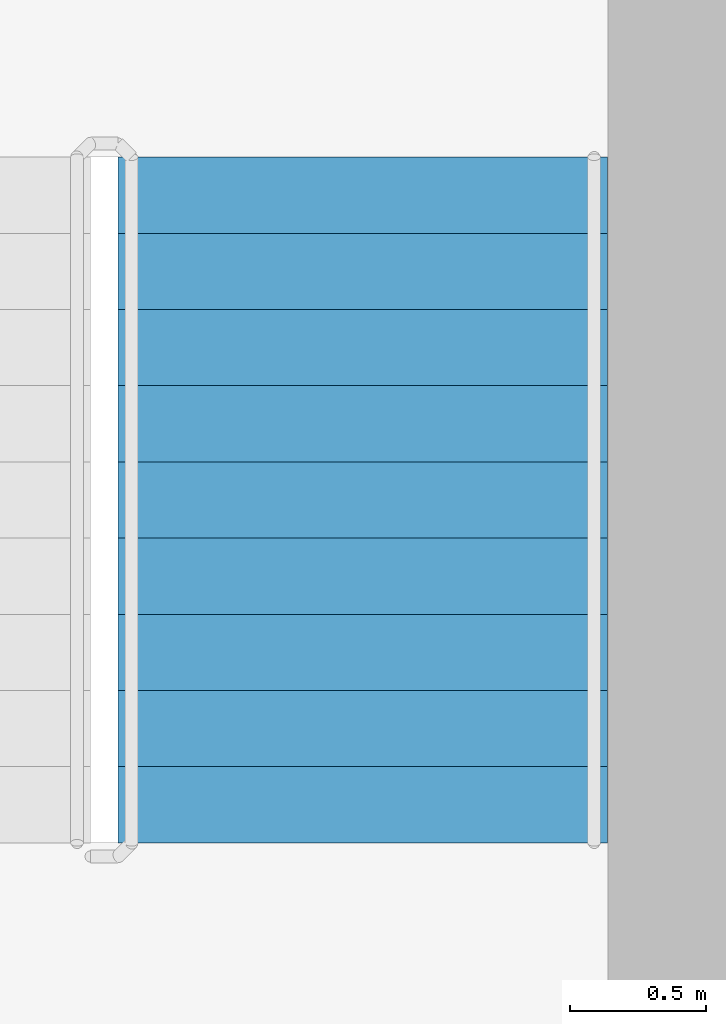
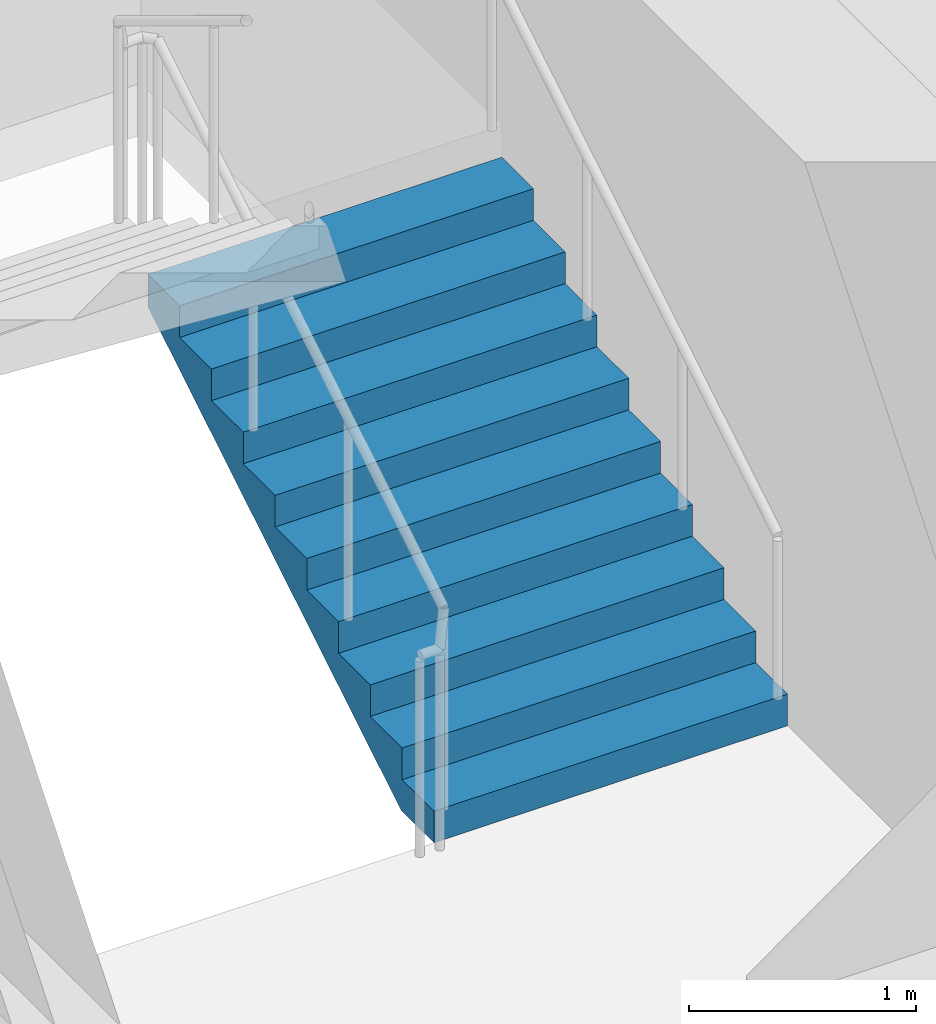
# One storey, part 12 of 22: 1 stair flight, 1 element without a shape of its own.
"""IFC4 building model written with IfcOpenShell, lengths in metres."""

from ifc_helpers import new_model, si_unit, direction, frame, origin, place, context, subcontext, project, spatial, triangles, source, transform, mapped, material, type_object, element, aggregate, save


model = new_model("IFC4")

# Units and contexts
model_context = context("Model", 3, precision=1e-05, world=origin(), true_north=direction((0.0, 1.0)))
body_context = subcontext(model_context, "Body", "Model", "MODEL_VIEW")
ifc_project = project(units=[si_unit("LENGTHUNIT", "METRE"), si_unit("AREAUNIT", "SQUARE_METRE"), si_unit("VOLUMEUNIT", "CUBIC_METRE"), si_unit("PLANEANGLEUNIT", "RADIAN"), si_unit("MASSUNIT", "GRAM", prefix="KILO")], contexts=[model_context])

# Site, building, storey
site_placement = place(None, origin())
site = spatial("IfcSite", under=ifc_project, at=site_placement, CompositionType="ELEMENT")
building_placement = place(site_placement, origin())
building = spatial("IfcBuilding", under=site, at=building_placement, Name="Kilnfold Tower and Market Hall", CompositionType="ELEMENT")
storey_placement = place(building_placement, frame((0.0, 0.0, 188.89990234375)))
storey = spatial("IfcBuildingStorey", under=building, at=storey_placement, Name="L45", CompositionType="ELEMENT", Elevation=188.89990234375)

# Stair, stair flight
ifc_material_1 = material(Name="Concrete C40/50", Category="concrete")
stair_type = type_object("IfcStairType", Name="CORE STAIR 1800", PredefinedType="HALF_TURN_STAIR", material=ifc_material_1)
stair_placement = place(storey_placement, origin())
stair = element("IfcStair", 1, at=stair_placement, inside=storey, type_object=stair_type, Name="L45 ST2", PredefinedType="HALF_TURN_STAIR")
ifc_material_2 = material(Name="Concrete C40/50", Category="concrete")
stair_flight_type = type_object("IfcStairFlightType", Name="CORE STAIR FLIGHT 1800", PredefinedType="STRAIGHT", material=ifc_material_2)
shared_shape = source(origin(), body_context, "Body", "Tessellation", [
    triangles([(0.0, 0.89990234375, 0.0), (0.0, 0.78759765625, 0.0), (0.0, 0.675048828125, 0.0), (0.0, 0.5625, 0.0), (0.0, 0.449951171875, 0.0), (0.0, 0.33740234375, 0.0), (0.0, 0.22509765625, 0.0), (0.0, 0.112548828125, 0.0), (0.0, 0.0, 0.0), (0.0, -0.112548828125, 0.0), (0.0, -0.22509765625, 0.0), (0.0, -0.33740234375, 0.0), (0.0, -0.449951171875, 0.0), (0.0, -0.5625, 0.0), (0.0, -0.675048828125, 0.0), (0.0, -0.78759765625, 0.0), (0.0, -0.89990234375, 0.0), (0.0, 0.89990234375, 0.169921875), (0.0, 0.78759765625, 0.169921875), (0.0, 0.675048828125, 0.169921875), (0.0, 0.5625, 0.169921875), (0.0, 0.449951171875, 0.169921875), (0.0, 0.33740234375, 0.169921875), (0.0, 0.22509765625, 0.169921875), (0.0, 0.112548828125, 0.169921875), (0.0, 0.0, 0.169921875), (0.0, -0.112548828125, 0.169921875), (0.0, -0.22509765625, 0.169921875), (0.0, -0.33740234375, 0.169921875), (0.0, -0.449951171875, 0.169921875), (0.0, -0.5625, 0.169921875), (0.0, -0.675048828125, 0.169921875), (0.0, -0.78759765625, 0.169921875), (0.0, -0.89990234375, 0.169921875), (0.280029296875, 0.89990234375, 0.169921875), (0.280029296875, 0.78759765625, 0.169921875), (0.280029296875, 0.675048828125, 0.169921875), (0.280029296875, 0.5625, 0.169921875), (0.280029296875, 0.449951171875, 0.169921875), (0.280029296875, 0.33740234375, 0.169921875), (0.280029296875, 0.22509765625, 0.169921875), (0.280029296875, 0.112548828125, 0.169921875), (0.280029296875, 0.0, 0.169921875), (0.280029296875, -0.112548828125, 0.169921875), (0.280029296875, -0.22509765625, 0.169921875), (0.280029296875, -0.33740234375, 0.169921875), (0.280029296875, -0.449951171875, 0.169921875), (0.280029296875, -0.5625, 0.169921875), (0.280029296875, -0.675048828125, 0.169921875), (0.280029296875, -0.78759765625, 0.169921875), (0.280029296875, -0.89990234375, 0.169921875), (0.280029296875, 0.89990234375, 0.340087890625), (0.280029296875, 0.78759765625, 0.340087890625), (0.280029296875, 0.675048828125, 0.340087890625), (0.280029296875, 0.5625, 0.340087890625), (0.280029296875, 0.449951171875, 0.340087890625), (0.280029296875, 0.33740234375, 0.340087890625), (0.280029296875, 0.22509765625, 0.340087890625), (0.280029296875, 0.112548828125, 0.340087890625), (0.280029296875, 0.0, 0.340087890625), (0.280029296875, -0.112548828125, 0.340087890625), (0.280029296875, -0.22509765625, 0.340087890625), (0.280029296875, -0.33740234375, 0.340087890625), (0.280029296875, -0.449951171875, 0.340087890625), (0.280029296875, -0.5625, 0.340087890625), (0.280029296875, -0.675048828125, 0.340087890625), (0.280029296875, -0.78759765625, 0.340087890625), (0.280029296875, -0.89990234375, 0.340087890625), (0.56005859375, 0.89990234375, 0.340087890625), (0.56005859375, 0.78759765625, 0.340087890625), (0.56005859375, 0.675048828125, 0.340087890625), (0.56005859375, 0.5625, 0.340087890625), (0.56005859375, 0.449951171875, 0.340087890625), (0.56005859375, 0.33740234375, 0.340087890625), (0.56005859375, 0.22509765625, 0.340087890625), (0.56005859375, 0.112548828125, 0.340087890625), (0.56005859375, 0.0, 0.340087890625), (0.56005859375, -0.112548828125, 0.340087890625), (0.56005859375, -0.22509765625, 0.340087890625), (0.56005859375, -0.33740234375, 0.340087890625), (0.56005859375, -0.449951171875, 0.340087890625), (0.56005859375, -0.5625, 0.340087890625), (0.56005859375, -0.675048828125, 0.340087890625), (0.56005859375, -0.78759765625, 0.340087890625), (0.56005859375, -0.89990234375, 0.340087890625), (0.56005859375, 0.89990234375, 0.510009765625), (0.56005859375, 0.78759765625, 0.510009765625), (0.56005859375, 0.675048828125, 0.510009765625), (0.56005859375, 0.5625, 0.510009765625), (0.56005859375, 0.449951171875, 0.510009765625), (0.56005859375, 0.33740234375, 0.510009765625), (0.56005859375, 0.22509765625, 0.510009765625), (0.56005859375, 0.112548828125, 0.510009765625), (0.56005859375, 0.0, 0.510009765625), (0.56005859375, -0.112548828125, 0.510009765625), (0.56005859375, -0.22509765625, 0.510009765625), (0.56005859375, -0.33740234375, 0.510009765625), (0.56005859375, -0.449951171875, 0.510009765625), (0.56005859375, -0.5625, 0.510009765625), (0.56005859375, -0.675048828125, 0.510009765625), (0.56005859375, -0.78759765625, 0.510009765625), (0.56005859375, -0.89990234375, 0.510009765625), (0.840087890625, 0.89990234375, 0.510009765625), (0.840087890625, 0.78759765625, 0.510009765625), (0.840087890625, 0.675048828125, 0.510009765625), (0.840087890625, 0.5625, 0.510009765625), (0.840087890625, 0.449951171875, 0.510009765625), (0.840087890625, 0.33740234375, 0.510009765625), (0.840087890625, 0.22509765625, 0.510009765625), (0.840087890625, 0.112548828125, 0.510009765625), (0.840087890625, 0.0, 0.510009765625), (0.840087890625, -0.112548828125, 0.510009765625), (0.840087890625, -0.22509765625, 0.510009765625), (0.840087890625, -0.33740234375, 0.510009765625), (0.840087890625, -0.449951171875, 0.510009765625), (0.840087890625, -0.5625, 0.510009765625), (0.840087890625, -0.675048828125, 0.510009765625), (0.840087890625, -0.78759765625, 0.510009765625), (0.840087890625, -0.89990234375, 0.510009765625), (0.840087890625, 0.89990234375, 0.679931640625), (0.840087890625, 0.78759765625, 0.679931640625), (0.840087890625, 0.675048828125, 0.679931640625), (0.840087890625, 0.5625, 0.679931640625), (0.840087890625, 0.449951171875, 0.679931640625), (0.840087890625, 0.33740234375, 0.679931640625), (0.840087890625, 0.22509765625, 0.679931640625), (0.840087890625, 0.112548828125, 0.679931640625), (0.840087890625, 0.0, 0.679931640625), (0.840087890625, -0.112548828125, 0.679931640625), (0.840087890625, -0.22509765625, 0.679931640625), (0.840087890625, -0.33740234375, 0.679931640625), (0.840087890625, -0.449951171875, 0.679931640625), (0.840087890625, -0.5625, 0.679931640625), (0.840087890625, -0.675048828125, 0.679931640625), (0.840087890625, -0.78759765625, 0.679931640625), (0.840087890625, -0.89990234375, 0.679931640625), (1.1201171875, 0.89990234375, 0.679931640625), (1.1201171875, 0.78759765625, 0.679931640625), (1.1201171875, 0.675048828125, 0.679931640625), (1.1201171875, 0.5625, 0.679931640625), (1.1201171875, 0.449951171875, 0.679931640625), (1.1201171875, 0.33740234375, 0.679931640625), (1.1201171875, 0.22509765625, 0.679931640625), (1.1201171875, 0.112548828125, 0.679931640625), (1.1201171875, 0.0, 0.679931640625), (1.1201171875, -0.112548828125, 0.679931640625), (1.1201171875, -0.22509765625, 0.679931640625), (1.1201171875, -0.33740234375, 0.679931640625), (1.1201171875, -0.449951171875, 0.679931640625), (1.1201171875, -0.5625, 0.679931640625), (1.1201171875, -0.675048828125, 0.679931640625), (1.1201171875, -0.78759765625, 0.679931640625), (1.1201171875, -0.89990234375, 0.679931640625), (1.1201171875, 0.89990234375, 0.85009765625), (1.1201171875, 0.78759765625, 0.85009765625), (1.1201171875, 0.675048828125, 0.85009765625), (1.1201171875, 0.5625, 0.85009765625), (1.1201171875, 0.449951171875, 0.85009765625), (1.1201171875, 0.33740234375, 0.85009765625), (1.1201171875, 0.22509765625, 0.85009765625), (1.1201171875, 0.112548828125, 0.85009765625), (1.1201171875, 0.0, 0.85009765625), (1.1201171875, -0.112548828125, 0.85009765625), (1.1201171875, -0.22509765625, 0.85009765625), (1.1201171875, -0.33740234375, 0.85009765625), (1.1201171875, -0.449951171875, 0.85009765625), (1.1201171875, -0.5625, 0.85009765625), (1.1201171875, -0.675048828125, 0.85009765625), (1.1201171875, -0.78759765625, 0.85009765625), (1.1201171875, -0.89990234375, 0.85009765625), (1.39990234375, 0.89990234375, 0.85009765625), (1.39990234375, 0.78759765625, 0.85009765625), (1.39990234375, 0.675048828125, 0.85009765625), (1.39990234375, 0.5625, 0.85009765625), (1.39990234375, 0.449951171875, 0.85009765625), (1.39990234375, 0.33740234375, 0.85009765625), (1.39990234375, 0.22509765625, 0.85009765625), (1.39990234375, 0.112548828125, 0.85009765625), (1.39990234375, 0.0, 0.85009765625), (1.39990234375, -0.112548828125, 0.85009765625), (1.39990234375, -0.22509765625, 0.85009765625), (1.39990234375, -0.33740234375, 0.85009765625), (1.39990234375, -0.449951171875, 0.85009765625), (1.39990234375, -0.5625, 0.85009765625), (1.39990234375, -0.675048828125, 0.85009765625), (1.39990234375, -0.78759765625, 0.85009765625), (1.39990234375, -0.89990234375, 0.85009765625), (1.39990234375, 0.89990234375, 1.02001953125), (1.39990234375, 0.78759765625, 1.02001953125), (1.39990234375, 0.675048828125, 1.02001953125), (1.39990234375, 0.5625, 1.02001953125), (1.39990234375, 0.449951171875, 1.02001953125), (1.39990234375, 0.33740234375, 1.02001953125), (1.39990234375, 0.22509765625, 1.02001953125), (1.39990234375, 0.112548828125, 1.02001953125), (1.39990234375, 0.0, 1.02001953125), (1.39990234375, -0.112548828125, 1.02001953125), (1.39990234375, -0.22509765625, 1.02001953125), (1.39990234375, -0.33740234375, 1.02001953125), (1.39990234375, -0.449951171875, 1.02001953125), (1.39990234375, -0.5625, 1.02001953125), (1.39990234375, -0.675048828125, 1.02001953125), (1.39990234375, -0.78759765625, 1.02001953125), (1.39990234375, -0.89990234375, 1.02001953125), (1.679931640625, 0.89990234375, 1.02001953125), (1.679931640625, 0.78759765625, 1.02001953125), (1.679931640625, 0.675048828125, 1.02001953125), (1.679931640625, 0.5625, 1.02001953125), (1.679931640625, 0.449951171875, 1.02001953125), (1.679931640625, 0.33740234375, 1.02001953125), (1.679931640625, 0.22509765625, 1.02001953125), (1.679931640625, 0.112548828125, 1.02001953125), (1.679931640625, 0.0, 1.02001953125), (1.679931640625, -0.112548828125, 1.02001953125), (1.679931640625, -0.22509765625, 1.02001953125), (1.679931640625, -0.33740234375, 1.02001953125), (1.679931640625, -0.449951171875, 1.02001953125), (1.679931640625, -0.5625, 1.02001953125), (1.679931640625, -0.675048828125, 1.02001953125), (1.679931640625, -0.78759765625, 1.02001953125), (1.679931640625, -0.89990234375, 1.02001953125), (1.679931640625, 0.89990234375, 1.18994140625), (1.679931640625, 0.78759765625, 1.18994140625), (1.679931640625, 0.675048828125, 1.18994140625), (1.679931640625, 0.5625, 1.18994140625), (1.679931640625, 0.449951171875, 1.18994140625), (1.679931640625, 0.33740234375, 1.18994140625), (1.679931640625, 0.22509765625, 1.18994140625), (1.679931640625, 0.112548828125, 1.18994140625), (1.679931640625, 0.0, 1.18994140625), (1.679931640625, -0.112548828125, 1.18994140625), (1.679931640625, -0.22509765625, 1.18994140625), (1.679931640625, -0.33740234375, 1.18994140625), (1.679931640625, -0.449951171875, 1.18994140625), (1.679931640625, -0.5625, 1.18994140625), (1.679931640625, -0.675048828125, 1.18994140625), (1.679931640625, -0.78759765625, 1.18994140625), (1.679931640625, -0.89990234375, 1.18994140625), (1.9599609375, 0.89990234375, 1.18994140625), (1.9599609375, 0.78759765625, 1.18994140625), (1.9599609375, 0.675048828125, 1.18994140625), (1.9599609375, 0.5625, 1.18994140625), (1.9599609375, 0.449951171875, 1.18994140625), (1.9599609375, 0.33740234375, 1.18994140625), (1.9599609375, 0.22509765625, 1.18994140625), (1.9599609375, 0.112548828125, 1.18994140625), (1.9599609375, 0.0, 1.18994140625), (1.9599609375, -0.112548828125, 1.18994140625), (1.9599609375, -0.22509765625, 1.18994140625), (1.9599609375, -0.33740234375, 1.18994140625), (1.9599609375, -0.449951171875, 1.18994140625), (1.9599609375, -0.5625, 1.18994140625), (1.9599609375, -0.675048828125, 1.18994140625), (1.9599609375, -0.78759765625, 1.18994140625), (1.9599609375, -0.89990234375, 1.18994140625), (1.9599609375, 0.89990234375, 1.360107421875), (1.9599609375, 0.78759765625, 1.360107421875), (1.9599609375, 0.675048828125, 1.360107421875), (1.9599609375, 0.5625, 1.360107421875), (1.9599609375, 0.449951171875, 1.360107421875), (1.9599609375, 0.33740234375, 1.360107421875), (1.9599609375, 0.22509765625, 1.360107421875), (1.9599609375, 0.112548828125, 1.360107421875), (1.9599609375, 0.0, 1.360107421875), (1.9599609375, -0.112548828125, 1.360107421875), (1.9599609375, -0.22509765625, 1.360107421875), (1.9599609375, -0.33740234375, 1.360107421875), (1.9599609375, -0.449951171875, 1.360107421875), (1.9599609375, -0.5625, 1.360107421875), (1.9599609375, -0.675048828125, 1.360107421875), (1.9599609375, -0.78759765625, 1.360107421875), (1.9599609375, -0.89990234375, 1.360107421875), (2.239990234375, 0.89990234375, 1.360107421875), (2.239990234375, 0.78759765625, 1.360107421875), (2.239990234375, 0.675048828125, 1.360107421875), (2.239990234375, 0.5625, 1.360107421875), (2.239990234375, 0.449951171875, 1.360107421875), (2.239990234375, 0.33740234375, 1.360107421875), (2.239990234375, 0.22509765625, 1.360107421875), (2.239990234375, 0.112548828125, 1.360107421875), (2.239990234375, 0.0, 1.360107421875), (2.239990234375, -0.112548828125, 1.360107421875), (2.239990234375, -0.22509765625, 1.360107421875), (2.239990234375, -0.33740234375, 1.360107421875), (2.239990234375, -0.449951171875, 1.360107421875), (2.239990234375, -0.5625, 1.360107421875), (2.239990234375, -0.675048828125, 1.360107421875), (2.239990234375, -0.78759765625, 1.360107421875), (2.239990234375, -0.89990234375, 1.360107421875), (2.239990234375, 0.89990234375, 1.530029296875), (2.239990234375, 0.78759765625, 1.530029296875), (2.239990234375, 0.675048828125, 1.530029296875), (2.239990234375, 0.5625, 1.530029296875), (2.239990234375, 0.449951171875, 1.530029296875), (2.239990234375, 0.33740234375, 1.530029296875), (2.239990234375, 0.22509765625, 1.530029296875), (2.239990234375, 0.112548828125, 1.530029296875), (2.239990234375, 0.0, 1.530029296875), (2.239990234375, -0.112548828125, 1.530029296875), (2.239990234375, -0.22509765625, 1.530029296875), (2.239990234375, -0.33740234375, 1.530029296875), (2.239990234375, -0.449951171875, 1.530029296875), (2.239990234375, -0.5625, 1.530029296875), (2.239990234375, -0.675048828125, 1.530029296875), (2.239990234375, -0.78759765625, 1.530029296875), (2.239990234375, -0.89990234375, 1.530029296875), (2.52001953125, 0.89990234375, 1.530029296875), (2.52001953125, 0.78759765625, 1.530029296875), (2.52001953125, 0.675048828125, 1.530029296875), (2.52001953125, 0.5625, 1.530029296875), (2.52001953125, 0.449951171875, 1.530029296875), (2.52001953125, 0.33740234375, 1.530029296875), (2.52001953125, 0.22509765625, 1.530029296875), (2.52001953125, 0.112548828125, 1.530029296875), (2.52001953125, 0.0, 1.530029296875), (2.52001953125, -0.112548828125, 1.530029296875), (2.52001953125, -0.22509765625, 1.530029296875), (2.52001953125, -0.33740234375, 1.530029296875), (2.52001953125, -0.449951171875, 1.530029296875), (2.52001953125, -0.5625, 1.530029296875), (2.52001953125, -0.675048828125, 1.530029296875), (2.52001953125, -0.78759765625, 1.530029296875), (2.52001953125, -0.89990234375, 1.530029296875), (2.52001953125, 0.89990234375, 1.354736328125), (2.52001953125, 0.78759765625, 1.354736328125), (2.52001953125, 0.675048828125, 1.354736328125), (2.52001953125, 0.5625, 1.354736328125), (2.52001953125, 0.449951171875, 1.354736328125), (2.52001953125, 0.33740234375, 1.354736328125), (2.52001953125, 0.22509765625, 1.354736328125), (2.52001953125, 0.112548828125, 1.354736328125), (2.52001953125, 0.0, 1.354736328125), (2.52001953125, -0.112548828125, 1.354736328125), (2.52001953125, -0.22509765625, 1.354736328125), (2.52001953125, -0.33740234375, 1.354736328125), (2.52001953125, -0.449951171875, 1.354736328125), (2.52001953125, -0.5625, 1.354736328125), (2.52001953125, -0.675048828125, 1.354736328125), (2.52001953125, -0.78759765625, 1.354736328125), (2.52001953125, -0.89990234375, 1.354736328125), (0.288818359375, 0.89990234375, 0.0), (0.288818359375, 0.78759765625, 0.0), (0.288818359375, 0.675048828125, 0.0), (0.288818359375, 0.5625, 0.0), (0.288818359375, 0.449951171875, 0.0), (0.288818359375, 0.33740234375, 0.0), (0.288818359375, 0.22509765625, 0.0), (0.288818359375, 0.112548828125, 0.0), (0.288818359375, 0.0, 0.0), (0.288818359375, -0.112548828125, 0.0), (0.288818359375, -0.22509765625, 0.0), (0.288818359375, -0.33740234375, 0.0), (0.288818359375, -0.449951171875, 0.0), (0.288818359375, -0.5625, 0.0), (0.288818359375, -0.675048828125, 0.0), (0.288818359375, -0.78759765625, 0.0), (0.288818359375, -0.89990234375, 0.0)], [[1, 324, 341], [17, 357, 340], [324, 290, 307], [340, 323, 306], [324, 273, 290], [340, 306, 289], [324, 256, 273], [340, 289, 272], [324, 239, 256], [340, 272, 255], [239, 205, 222], [255, 238, 221], [324, 205, 239], [340, 255, 221], [205, 171, 188], [221, 204, 187], [324, 171, 205], [340, 221, 187], [171, 137, 154], [187, 170, 153], [324, 137, 171], [340, 187, 153], [137, 103, 120], [153, 136, 119], [324, 103, 137], [340, 153, 119], [103, 69, 86], [119, 102, 85], [324, 69, 103], [340, 119, 85], [69, 35, 52], [85, 68, 51], [324, 35, 69], [340, 85, 51], [1, 35, 324], [17, 340, 51], [35, 1, 18], [51, 34, 17], [1, 19, 18], [1, 2, 19], [2, 20, 19], [2, 3, 20], [3, 21, 20], [3, 4, 21], [4, 22, 21], [4, 5, 22], [5, 23, 22], [5, 6, 23], [6, 24, 23], [6, 7, 24], [7, 25, 24], [7, 8, 25], [8, 26, 25], [8, 9, 26], [9, 27, 26], [9, 10, 27], [10, 28, 27], [10, 11, 28], [11, 29, 28], [11, 12, 29], [12, 30, 29], [12, 13, 30], [13, 31, 30], [13, 14, 31], [14, 32, 31], [14, 15, 32], [15, 33, 32], [15, 16, 33], [16, 34, 33], [16, 17, 34], [18, 36, 35], [18, 19, 36], [19, 37, 36], [19, 20, 37], [20, 38, 37], [20, 21, 38], [21, 39, 38], [21, 22, 39], [22, 40, 39], [22, 23, 40], [23, 41, 40], [23, 24, 41], [24, 42, 41], [24, 25, 42], [25, 43, 42], [25, 26, 43], [26, 44, 43], [26, 27, 44], [27, 45, 44], [27, 28, 45], [28, 46, 45], [28, 29, 46], [29, 47, 46], [29, 30, 47], [30, 48, 47], [30, 31, 48], [31, 49, 48], [31, 32, 49], [32, 50, 49], [32, 33, 50], [33, 51, 50], [33, 34, 51], [35, 53, 52], [35, 36, 53], [36, 54, 53], [36, 37, 54], [37, 55, 54], [37, 38, 55], [38, 56, 55], [38, 39, 56], [39, 57, 56], [39, 40, 57], [40, 58, 57], [40, 41, 58], [41, 59, 58], [41, 42, 59], [42, 60, 59], [42, 43, 60], [43, 61, 60], [43, 44, 61], [44, 62, 61], [44, 45, 62], [45, 63, 62], [45, 46, 63], [46, 64, 63], [46, 47, 64], [47, 65, 64], [47, 48, 65], [48, 66, 65], [48, 49, 66], [49, 67, 66], [49, 50, 67], [50, 68, 67], [50, 51, 68], [52, 70, 69], [52, 53, 70], [53, 71, 70], [53, 54, 71], [54, 72, 71], [54, 55, 72], [55, 73, 72], [55, 56, 73], [56, 74, 73], [56, 57, 74], [57, 75, 74], [57, 58, 75], [58, 76, 75], [58, 59, 76], [59, 77, 76], [59, 60, 77], [60, 78, 77], [60, 61, 78], [61, 79, 78], [61, 62, 79], [62, 80, 79], [62, 63, 80], [63, 81, 80], [63, 64, 81], [64, 82, 81], [64, 65, 82], [65, 83, 82], [65, 66, 83], [66, 84, 83], [66, 67, 84], [67, 85, 84], [67, 68, 85], [69, 87, 86], [69, 70, 87], [70, 88, 87], [70, 71, 88], [71, 89, 88], [71, 72, 89], [72, 90, 89], [72, 73, 90], [73, 91, 90], [73, 74, 91], [74, 92, 91], [74, 75, 92], [75, 93, 92], [75, 76, 93], [76, 94, 93], [76, 77, 94], [77, 95, 94], [77, 78, 95], [78, 96, 95], [78, 79, 96], [79, 97, 96], [79, 80, 97], [80, 98, 97], [80, 81, 98], [81, 99, 98], [81, 82, 99], [82, 100, 99], [82, 83, 100], [83, 101, 100], [83, 84, 101], [84, 102, 101], [84, 85, 102], [86, 104, 103], [86, 87, 104], [87, 105, 104], [87, 88, 105], [88, 106, 105], [88, 89, 106], [89, 107, 106], [89, 90, 107], [90, 108, 107], [90, 91, 108], [91, 109, 108], [91, 92, 109], [92, 110, 109], [92, 93, 110], [93, 111, 110], [93, 94, 111], [94, 112, 111], [94, 95, 112], [95, 113, 112], [95, 96, 113], [96, 114, 113], [96, 97, 114], [97, 115, 114], [97, 98, 115], [98, 116, 115], [98, 99, 116], [99, 117, 116], [99, 100, 117], [100, 118, 117], [100, 101, 118], [101, 119, 118], [101, 102, 119], [103, 121, 120], [103, 104, 121], [104, 122, 121], [104, 105, 122], [105, 123, 122], [105, 106, 123], [106, 124, 123], [106, 107, 124], [107, 125, 124], [107, 108, 125], [108, 126, 125], [108, 109, 126], [109, 127, 126], [109, 110, 127], [110, 128, 127], [110, 111, 128], [111, 129, 128], [111, 112, 129], [112, 130, 129], [112, 113, 130], [113, 131, 130], [113, 114, 131], [114, 132, 131], [114, 115, 132], [115, 133, 132], [115, 116, 133], [116, 134, 133], [116, 117, 134], [117, 135, 134], [117, 118, 135], [118, 136, 135], [118, 119, 136], [120, 138, 137], [120, 121, 138], [121, 139, 138], [121, 122, 139], [122, 140, 139], [122, 123, 140], [123, 141, 140], [123, 124, 141], [124, 142, 141], [124, 125, 142], [125, 143, 142], [125, 126, 143], [126, 144, 143], [126, 127, 144], [127, 145, 144], [127, 128, 145], [128, 146, 145], [128, 129, 146], [129, 147, 146], [129, 130, 147], [130, 148, 147], [130, 131, 148], [131, 149, 148], [131, 132, 149], [132, 150, 149], [132, 133, 150], [133, 151, 150], [133, 134, 151], [134, 152, 151], [134, 135, 152], [135, 153, 152], [135, 136, 153], [137, 155, 154], [137, 138, 155], [138, 156, 155], [138, 139, 156], [139, 157, 156], [139, 140, 157], [140, 158, 157], [140, 141, 158], [141, 159, 158], [141, 142, 159], [142, 160, 159], [142, 143, 160], [143, 161, 160], [143, 144, 161], [144, 162, 161], [144, 145, 162], [145, 163, 162], [145, 146, 163], [146, 164, 163], [146, 147, 164], [147, 165, 164], [147, 148, 165], [148, 166, 165], [148, 149, 166], [149, 167, 166], [149, 150, 167], [150, 168, 167], [150, 151, 168], [151, 169, 168], [151, 152, 169], [152, 170, 169], [152, 153, 170], [154, 172, 171], [154, 155, 172], [155, 173, 172], [155, 156, 173], [156, 174, 173], [156, 157, 174], [157, 175, 174], [157, 158, 175], [158, 176, 175], [158, 159, 176], [159, 177, 176], [159, 160, 177], [160, 178, 177], [160, 161, 178], [161, 179, 178], [161, 162, 179], [162, 180, 179], [162, 163, 180], [163, 181, 180], [163, 164, 181], [164, 182, 181], [164, 165, 182], [165, 183, 182], [165, 166, 183], [166, 184, 183], [166, 167, 184], [167, 185, 184], [167, 168, 185], [168, 186, 185], [168, 169, 186], [169, 187, 186], [169, 170, 187], [171, 189, 188], [171, 172, 189], [172, 190, 189], [172, 173, 190], [173, 191, 190], [173, 174, 191], [174, 192, 191], [174, 175, 192], [175, 193, 192], [175, 176, 193], [176, 194, 193], [176, 177, 194], [177, 195, 194], [177, 178, 195], [178, 196, 195], [178, 179, 196], [179, 197, 196], [179, 180, 197], [180, 198, 197], [180, 181, 198], [181, 199, 198], [181, 182, 199], [182, 200, 199], [182, 183, 200], [183, 201, 200], [183, 184, 201], [184, 202, 201], [184, 185, 202], [185, 203, 202], [185, 186, 203], [186, 204, 203], [186, 187, 204], [188, 206, 205], [188, 189, 206], [189, 207, 206], [189, 190, 207], [190, 208, 207], [190, 191, 208], [191, 209, 208], [191, 192, 209], [192, 210, 209], [192, 193, 210], [193, 211, 210], [193, 194, 211], [194, 212, 211], [194, 195, 212], [195, 213, 212], [195, 196, 213], [196, 214, 213], [196, 197, 214], [197, 215, 214], [197, 198, 215], [198, 216, 215], [198, 199, 216], [199, 217, 216], [199, 200, 217], [200, 218, 217], [200, 201, 218], [201, 219, 218], [201, 202, 219], [202, 220, 219], [202, 203, 220], [203, 221, 220], [203, 204, 221], [205, 223, 222], [205, 206, 223], [206, 224, 223], [206, 207, 224], [207, 225, 224], [207, 208, 225], [208, 226, 225], [208, 209, 226], [209, 227, 226], [209, 210, 227], [210, 228, 227], [210, 211, 228], [211, 229, 228], [211, 212, 229], [212, 230, 229], [212, 213, 230], [213, 231, 230], [213, 214, 231], [214, 232, 231], [214, 215, 232], [215, 233, 232], [215, 216, 233], [216, 234, 233], [216, 217, 234], [217, 235, 234], [217, 218, 235], [218, 236, 235], [218, 219, 236], [219, 237, 236], [219, 220, 237], [220, 238, 237], [220, 221, 238], [222, 240, 239], [222, 223, 240], [223, 241, 240], [223, 224, 241], [224, 242, 241], [224, 225, 242], [225, 243, 242], [225, 226, 243], [226, 244, 243], [226, 227, 244], [227, 245, 244], [227, 228, 245], [228, 246, 245], [228, 229, 246], [229, 247, 246], [229, 230, 247], [230, 248, 247], [230, 231, 248], [231, 249, 248], [231, 232, 249], [232, 250, 249], [232, 233, 250], [233, 251, 250], [233, 234, 251], [234, 252, 251], [234, 235, 252], [235, 253, 252], [235, 236, 253], [236, 254, 253], [236, 237, 254], [237, 255, 254], [237, 238, 255], [239, 257, 256], [239, 240, 257], [240, 258, 257], [240, 241, 258], [241, 259, 258], [241, 242, 259], [242, 260, 259], [242, 243, 260], [243, 261, 260], [243, 244, 261], [244, 262, 261], [244, 245, 262], [245, 263, 262], [245, 246, 263], [246, 264, 263], [246, 247, 264], [247, 265, 264], [247, 248, 265], [248, 266, 265], [248, 249, 266], [249, 267, 266], [249, 250, 267], [250, 268, 267], [250, 251, 268], [251, 269, 268], [251, 252, 269], [252, 270, 269], [252, 253, 270], [253, 271, 270], [253, 254, 271], [254, 272, 271], [254, 255, 272], [256, 274, 273], [256, 257, 274], [257, 275, 274], [257, 258, 275], [258, 276, 275], [258, 259, 276], [259, 277, 276], [259, 260, 277], [260, 278, 277], [260, 261, 278], [261, 279, 278], [261, 262, 279], [262, 280, 279], [262, 263, 280], [263, 281, 280], [263, 264, 281], [264, 282, 281], [264, 265, 282], [265, 283, 282], [265, 266, 283], [266, 284, 283], [266, 267, 284], [267, 285, 284], [267, 268, 285], [268, 286, 285], [268, 269, 286], [269, 287, 286], [269, 270, 287], [270, 288, 287], [270, 271, 288], [271, 289, 288], [271, 272, 289], [273, 291, 290], [273, 274, 291], [274, 292, 291], [274, 275, 292], [275, 293, 292], [275, 276, 293], [276, 294, 293], [276, 277, 294], [277, 295, 294], [277, 278, 295], [278, 296, 295], [278, 279, 296], [279, 297, 296], [279, 280, 297], [280, 298, 297], [280, 281, 298], [281, 299, 298], [281, 282, 299], [282, 300, 299], [282, 283, 300], [283, 301, 300], [283, 284, 301], [284, 302, 301], [284, 285, 302], [285, 303, 302], [285, 286, 303], [286, 304, 303], [286, 287, 304], [287, 305, 304], [287, 288, 305], [288, 306, 305], [288, 289, 306], [290, 308, 307], [290, 291, 308], [291, 309, 308], [291, 292, 309], [292, 310, 309], [292, 293, 310], [293, 311, 310], [293, 294, 311], [294, 312, 311], [294, 295, 312], [295, 313, 312], [295, 296, 313], [296, 314, 313], [296, 297, 314], [297, 315, 314], [297, 298, 315], [298, 316, 315], [298, 299, 316], [299, 317, 316], [299, 300, 317], [300, 318, 317], [300, 301, 318], [301, 319, 318], [301, 302, 319], [302, 320, 319], [302, 303, 320], [303, 321, 320], [303, 304, 321], [304, 322, 321], [304, 305, 322], [305, 323, 322], [305, 306, 323], [307, 325, 324], [307, 308, 325], [308, 326, 325], [308, 309, 326], [309, 327, 326], [309, 310, 327], [310, 328, 327], [310, 311, 328], [311, 329, 328], [311, 312, 329], [312, 330, 329], [312, 313, 330], [313, 331, 330], [313, 314, 331], [314, 332, 331], [314, 315, 332], [315, 333, 332], [315, 316, 333], [316, 334, 333], [316, 317, 334], [317, 335, 334], [317, 318, 335], [318, 336, 335], [318, 319, 336], [319, 337, 336], [319, 320, 337], [320, 338, 337], [320, 321, 338], [321, 339, 338], [321, 322, 339], [322, 340, 339], [322, 323, 340], [324, 342, 341], [324, 325, 342], [325, 343, 342], [325, 326, 343], [326, 344, 343], [326, 327, 344], [327, 345, 344], [327, 328, 345], [328, 346, 345], [328, 329, 346], [329, 347, 346], [329, 330, 347], [330, 348, 347], [330, 331, 348], [331, 349, 348], [331, 332, 349], [332, 350, 349], [332, 333, 350], [333, 351, 350], [333, 334, 351], [334, 352, 351], [334, 335, 352], [335, 353, 352], [335, 336, 353], [336, 354, 353], [336, 337, 354], [337, 355, 354], [337, 338, 355], [338, 356, 355], [338, 339, 356], [339, 357, 356], [339, 340, 357], [341, 2, 1], [341, 342, 2], [342, 3, 2], [342, 343, 3], [343, 4, 3], [343, 344, 4], [344, 5, 4], [344, 345, 5], [345, 6, 5], [345, 346, 6], [346, 7, 6], [346, 347, 7], [347, 8, 7], [347, 348, 8], [348, 9, 8], [348, 349, 9], [349, 10, 9], [349, 350, 10], [350, 11, 10], [350, 351, 11], [351, 12, 11], [351, 352, 12], [352, 13, 12], [352, 353, 13], [353, 14, 13], [353, 354, 14], [354, 15, 14], [354, 355, 15], [355, 16, 15], [355, 356, 16], [356, 17, 16], [356, 357, 17]], closed=True),
])
stair_flight_placement = place(storey_placement, frame((16.199951171875, 10.800048828125, 0.0), z_axis=(0.0, 0.0, 1.0), x_axis=(0.0, 1.0, 0.0)))
stair_flight = element("IfcStairFlight", 2, at=stair_flight_placement, type_object=stair_flight_type, Name="ST2 flight 1", NumberOfRisers=10, NumberOfTreads=9, PredefinedType="STRAIGHT", RiserHeight=0.17, TreadLength=0.28, context=body_context, shape_type="MappedRepresentation", body=[
    mapped(shared_shape, transform((0.0, 0.0, 0.0))),
])
aggregate(stair, [stair_flight])

save(model, "model.ifc")
